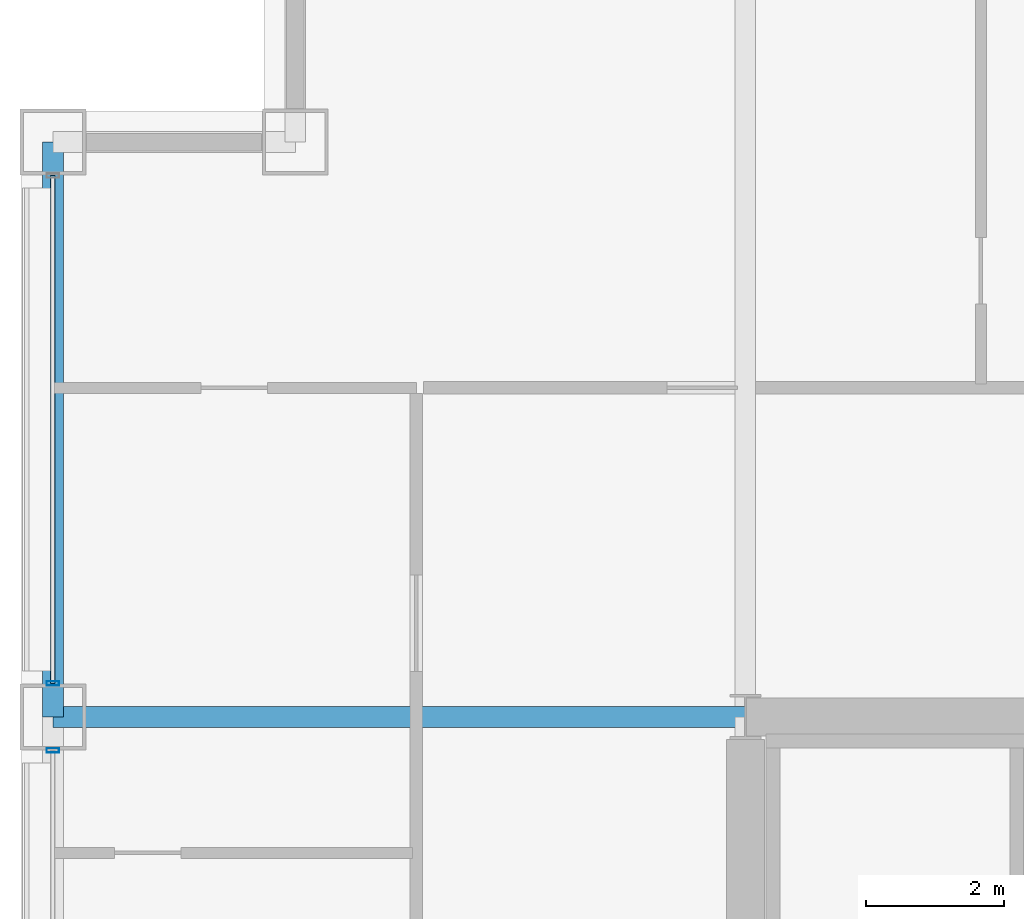
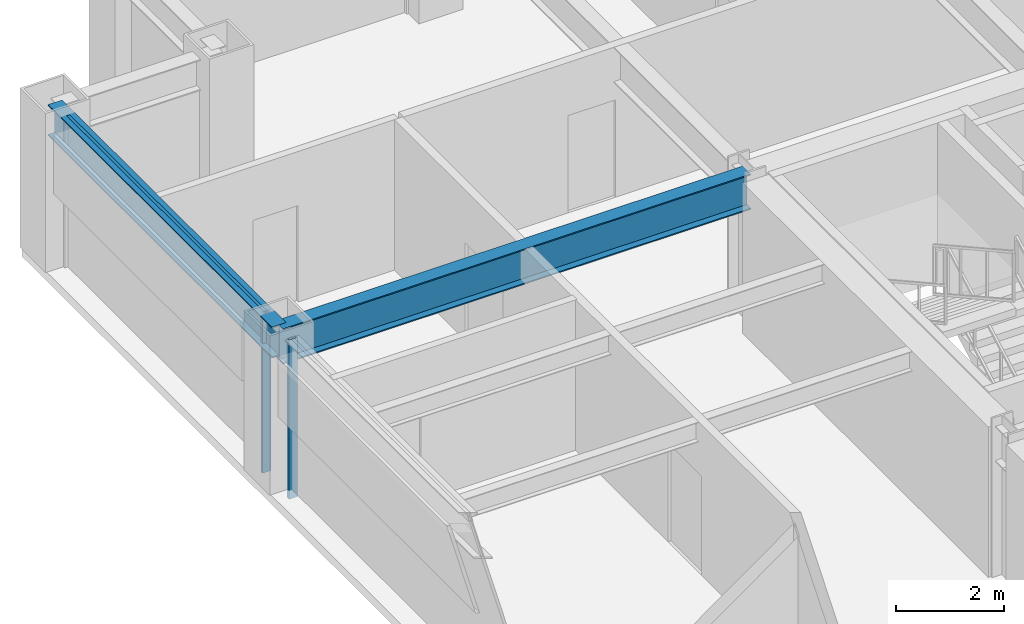
# One storey, part 15 of 28: 3 members, 2 beams, 2 elements without a shape of their own.
"""IFC4 building model written with IfcOpenShell, lengths in metres."""

from ifc_helpers import new_model, si_unit, direction, frame, origin, origin_2d, place, context, subcontext, project, spatial, hollow_rectangle, i_section, extrude, material, layer, layer_set, material_profile, profile_set, type_object, element, aggregate, save


model = new_model("IFC4")

# Units and contexts
model_context = context("Model", 3, precision=1e-05, world=origin(), true_north=direction((0.0, 1.0)))
body_context = subcontext(model_context, "Body", "Model", "MODEL_VIEW")
ifc_project = project(units=[si_unit("LENGTHUNIT", "METRE"), si_unit("AREAUNIT", "SQUARE_METRE"), si_unit("VOLUMEUNIT", "CUBIC_METRE"), si_unit("PLANEANGLEUNIT", "RADIAN"), si_unit("MASSUNIT", "GRAM", prefix="KILO")], contexts=[model_context])

# Site, building, storey
site_placement = place(None, origin())
site = spatial("IfcSite", under=ifc_project, at=site_placement, CompositionType="ELEMENT")
building_placement = place(site_placement, origin())
building = spatial("IfcBuilding", under=site, at=building_placement, Name="Brelmoor Portico Tower", CompositionType="ELEMENT")
storey_placement = place(building_placement, frame((0.0, 0.0, 49.199951171875)))
storey = spatial("IfcBuildingStorey", under=building, at=storey_placement, Name="L12", CompositionType="ELEMENT", Elevation=49.199951171875)

# Beams
ifc_material_1 = material(Name="Steel Q355B", Category="steel")
ifc_material_profile_1 = material_profile(ifc_material_1, i_section(OverallWidth=0.300048828125, OverallDepth=0.800048828125, WebThickness=0.013916015625, FlangeThickness=0.02587890625, at=origin_2d()), Name="HN 800x300x14x26")
ifc_profile_set_1 = profile_set([ifc_material_profile_1], Name="Steel Q355B")
beam_type_1 = type_object("IfcBeamType", Name="BM-PG-800", PredefinedType="BEAM", material=ifc_profile_set_1)
beam_1_placement = place(storey_placement, frame((-24.550048828125, 9.75, 3.0), z_axis=(1.0, 0.0, 0.0), x_axis=(0.0, 1.0, 0.0)))
element("IfcBeam", 1, at=beam_1_placement, inside=storey, type_object=beam_type_1, Name="L12 Primary Floor Girder PG-27", PredefinedType="BEAM", context=body_context, shape_type="SweptSolid", body=[
    extrude(i_section(OverallWidth=0.300048828125, OverallDepth=0.800048828125, WebThickness=0.013916015625, FlangeThickness=0.02587890625, at=origin_2d()), origin(), (0.0, 0.0, 1.0), 10.0),
])
ifc_material_profile_2 = material_profile(ifc_material_1, i_section(OverallWidth=0.300048828125, OverallDepth=0.699951171875, WebThickness=0.012939453125, FlangeThickness=0.02392578125, at=origin_2d()), Name="HN 700x300x13x24")
ifc_profile_set_2 = profile_set([ifc_material_profile_2], Name="Steel Q355B")
beam_type_2 = type_object("IfcBeamType", Name="BM-SP-700", PredefinedType="SPANDREL", material=ifc_profile_set_2)
beam_2_placement = place(storey_placement, frame((-24.550048828125, 9.75, 3.050048828125), z_axis=(0.0, 1.0, 0.0), x_axis=(-1.0, 0.0, 0.0)))
element("IfcBeam", 2, at=beam_2_placement, inside=storey, type_object=beam_type_2, Name="L12 Perimeter Spandrel Beam SP-17", PredefinedType="SPANDREL", context=body_context, shape_type="SweptSolid", body=[
    extrude(i_section(OverallWidth=0.300048828125, OverallDepth=0.699951171875, WebThickness=0.012939453125, FlangeThickness=0.02392578125, at=origin_2d()), origin(), (0.0, 0.0, 1.0), 8.300048828125),
])

# Curtain wall, member
ifc_material_2 = material(Name="Anodised Aluminium Alloy 6063-T6", Category="aluminium")
ifc_layer = layer(ifc_material_2, 0.179931640625)
ifc_layer_set = layer_set([ifc_layer], Name="Anodised Aluminium Alloy 6063-T6")
curtain_wall_type = type_object("IfcCurtainWallType", Name="CW-TOWER-Z1-XB", PredefinedType="NOTDEFINED", material=ifc_layer_set)
curtain_wall_1_placement = place(storey_placement, origin())
curtain_wall_1 = element("IfcCurtainWall", 3, at=curtain_wall_1_placement, inside=storey, type_object=curtain_wall_type, Name="L12 Curtain Wall CW-L12-03-2", PredefinedType="NOTDEFINED")
ifc_material_profile_3 = material_profile(ifc_material_2, hollow_rectangle(XDim=0.06494140625, YDim=0.179931640625, WallThickness=0.00390625, at=origin_2d()), Name="ALU MULLION 65x180")
ifc_profile_set_3 = profile_set([ifc_material_profile_3], Name="Anodised Aluminium Alloy 6063-T6")
member_type_1 = type_object("IfcMemberType", Name="MB-CW-MULL-180", PredefinedType="MULLION", material=ifc_profile_set_3)
member_1_placement = place(storey_placement, frame((-24.550048828125, 9.264892578125, -0.199951171875), z_axis=(0.0, 0.0, 1.0), x_axis=(0.0, 1.0, 0.0)))
member_1 = element("IfcMember", 4, at=member_1_placement, type_object=member_type_1, Name="CW-L12-03-2 Mullion 02", PredefinedType="MULLION", context=body_context, shape_type="SweptSolid", body=[
    extrude(hollow_rectangle(XDim=0.06494140625, YDim=0.179931640625, WallThickness=0.00390625, at=origin_2d()), origin(), (0.0, 0.0, 1.0), 3.60009765625),
])
aggregate(curtain_wall_1, [member_1])

# Curtain wall, members
curtain_wall_2_placement = place(storey_placement, origin())
curtain_wall_2 = element("IfcCurtainWall", 5, at=curtain_wall_2_placement, inside=storey, type_object=curtain_wall_type, Name="L12 Curtain Wall CW-L12-03-3", PredefinedType="NOTDEFINED")
member_2_placement = place(storey_placement, frame((-24.550048828125, 10.235107421875, -0.199951171875), z_axis=(0.0, 0.0, 1.0), x_axis=(0.0, 1.0, 0.0)))
member_2 = element("IfcMember", 6, at=member_2_placement, type_object=member_type_1, Name="CW-L12-03-3 Mullion 00", PredefinedType="MULLION", context=body_context, shape_type="SweptSolid", body=[
    extrude(hollow_rectangle(XDim=0.06494140625, YDim=0.179931640625, WallThickness=0.00390625, at=origin_2d()), origin(), (0.0, 0.0, 1.0), 3.60009765625),
])
ifc_material_profile_4 = material_profile(ifc_material_2, hollow_rectangle(XDim=0.06494140625, YDim=0.139892578125, WallThickness=0.00390625, at=origin_2d()), Name="ALU TRANSOM 65x140")
ifc_profile_set_4 = profile_set([ifc_material_profile_4], Name="Anodised Aluminium Alloy 6063-T6")
member_type_2 = type_object("IfcMemberType", Name="MB-CW-TRAN-140", PredefinedType="USERDEFINED", material=ifc_profile_set_4)
member_3_placement = place(storey_placement, frame((-24.550048828125, 10.235107421875, 3.330078125), z_axis=(0.0, 1.0, 0.0), x_axis=(-1.0, 0.0, 0.0)))
member_3 = element("IfcMember", 7, at=member_3_placement, type_object=member_type_2, Name="CW-L12-03-3 Transom 1-00", ObjectType="TRANSOM", PredefinedType="USERDEFINED", context=body_context, shape_type="SweptSolid", body=[
    extrude(hollow_rectangle(XDim=0.06494140625, YDim=0.139892578125, WallThickness=0.00390625, at=origin_2d()), origin(), (0.0, 0.0, 1.0), 7.329833984375),
])
aggregate(curtain_wall_2, [member_2, member_3])

save(model, "model.ifc")
